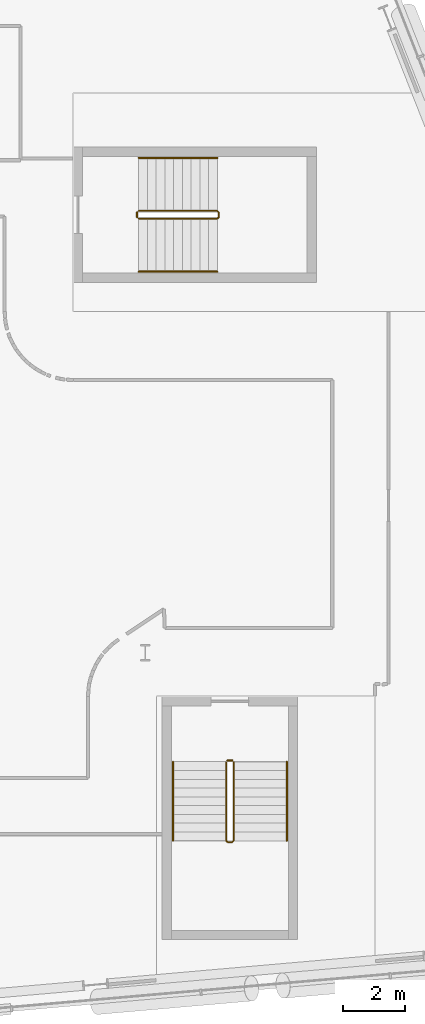
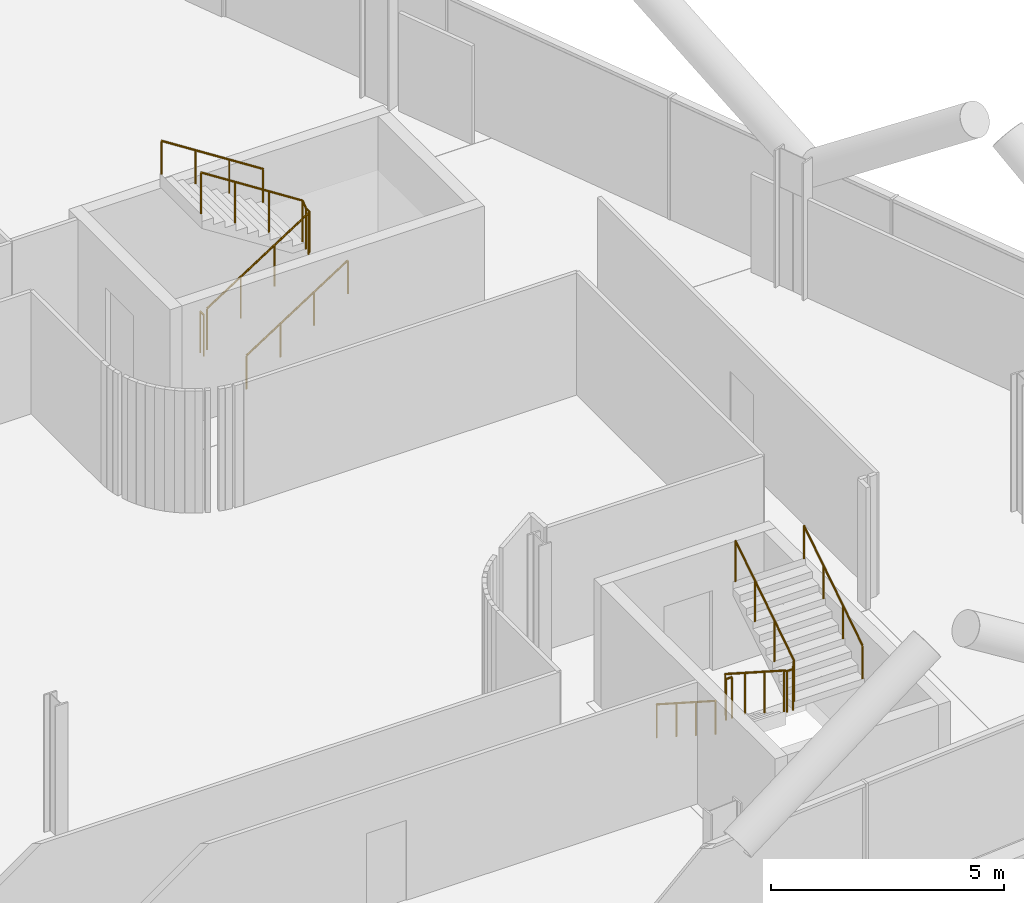
# One storey, part 30 of 30: 8 railings.
"""IFC4 building model written with IfcOpenShell, lengths in metres."""

from ifc_helpers import new_model, si_unit, direction, frame, origin, origin_2d, place, context, subcontext, project, spatial, circle, extrude, material, type_object, element, save


model = new_model("IFC4")

# Units and contexts
model_context = context("Model", 3, precision=1e-05, world=origin(), true_north=direction((0.0, 1.0)))
body_context = subcontext(model_context, "Body", "Model", "MODEL_VIEW")
ifc_project = project(units=[si_unit("LENGTHUNIT", "METRE"), si_unit("AREAUNIT", "SQUARE_METRE"), si_unit("VOLUMEUNIT", "CUBIC_METRE"), si_unit("PLANEANGLEUNIT", "RADIAN"), si_unit("MASSUNIT", "GRAM", prefix="KILO")], contexts=[model_context])

# Site, building, storey
site_placement = place(None, origin())
site = spatial("IfcSite", under=ifc_project, at=site_placement, CompositionType="ELEMENT")
building_placement = place(site_placement, origin())
building = spatial("IfcBuilding", under=site, at=building_placement, Name="Wharfspan Tower", CompositionType="ELEMENT")
storey_placement = place(building_placement, frame((0.0, 0.0, 107.5)))
storey = spatial("IfcBuildingStorey", under=building, at=storey_placement, Name="L24", CompositionType="ELEMENT", Elevation=107.5)

# Railings
ifc_material = material(Name="Steel S355J2", Category="steel")
railing_type_1 = type_object("IfcRailingType", Name="Stair guard 1100", PredefinedType="GUARDRAIL", material=ifc_material)
railing_1_placement = place(storey_placement, frame((74.591064, 7.994629, 0.179932)))
element("IfcRailing", 1, at=railing_1_placement, inside=storey, type_object=railing_type_1, Name="L24 ST5 stair guard 1", PredefinedType="GUARDRAIL", context=body_context, shape_type="SweptSolid", body=[
    extrude(circle(Radius=0.023926, at=origin_2d()), frame((0.0, 0.0, 1.076172), z_axis=(0.0, -0.841163, 0.540782), x_axis=(1.0, 0.0, 0.0)), (0.0, 0.0, 1.0), 2.99585),
    extrude(circle(Radius=0.023926, at=origin_2d()), frame((0.0, -2.52002, 2.696289), z_axis=(0.707107, -0.707107, 0.0), x_axis=(0.707107, 0.707107, 0.0)), (0.0, 0.0, 1.0), 0.070801),
    extrude(circle(Radius=0.023926, at=origin_2d()), frame((0.050049, -2.570068, 2.696289), z_axis=(1.0, 0.0, 0.0), x_axis=(0.0, 1.0, 0.0)), (0.0, 0.0, 1.0), 0.149902),
    extrude(circle(Radius=0.023926, at=origin_2d()), frame((0.199951, -2.570068, 2.696289), z_axis=(0.258848, 0.258848, 0.930589), x_axis=(-0.707107, 0.707107, 0.0)), (0.0, 0.0, 1.0), 0.193359),
    extrude(circle(Radius=0.023926, at=origin_2d()), frame((0.25, -2.52002, 2.875977), z_axis=(0.0, 0.841163, 0.540782), x_axis=(-1.0, 0.0, 0.0)), (0.0, 0.0, 1.0), 2.99585),
    extrude(circle(Radius=0.020996, at=origin_2d()), origin(), (0.0, 0.0, 1.0), 1.052002),
    extrude(circle(Radius=0.020996, at=origin_2d()), frame((0.0, -0.840088, 0.540039)), (0.0, 0.0, 1.0), 1.052002),
    extrude(circle(Radius=0.020996, at=origin_2d()), frame((0.0, -1.679932, 1.080078)), (0.0, 0.0, 1.0), 1.052002),
    extrude(circle(Radius=0.020996, at=origin_2d()), frame((0.0, -2.52002, 1.620117)), (0.0, 0.0, 1.0), 1.052002),
    extrude(circle(Radius=0.020996, at=origin_2d()), frame((0.050049, -2.570068, 1.620117)), (0.0, 0.0, 1.0), 1.052002),
    extrude(circle(Radius=0.020996, at=origin_2d()), frame((0.199951, -2.570068, 1.620117)), (0.0, 0.0, 1.0), 1.052002),
    extrude(circle(Radius=0.020996, at=origin_2d()), frame((0.25, -2.52002, 1.800049)), (0.0, 0.0, 1.0), 1.052002),
    extrude(circle(Radius=0.020996, at=origin_2d()), frame((0.25, -1.679932, 2.340088)), (0.0, 0.0, 1.0), 1.052002),
    extrude(circle(Radius=0.020996, at=origin_2d()), frame((0.25, -0.840088, 2.880127)), (0.0, 0.0, 1.0), 1.052002),
    extrude(circle(Radius=0.020996, at=origin_2d()), frame((0.25, 0.0, 3.420166)), (0.0, 0.0, 1.0), 1.052002),
])
railing_2_placement = place(storey_placement, frame((74.641113, 8.044678, 0.0)))
element("IfcRailing", 2, at=railing_2_placement, inside=storey, type_object=railing_type_1, Name="L24 ST5 stair guard 2", PredefinedType="GUARDRAIL", context=body_context, shape_type="SweptSolid", body=[
    extrude(circle(Radius=0.023926, at=origin_2d()), frame((0.0, 0.0, 1.076172), z_axis=(1.0, 0.0, 0.0), x_axis=(0.0, 1.0, 0.0)), (0.0, 0.0, 1.0), 0.149902),
    extrude(circle(Radius=0.020996, at=origin_2d()), origin(), (0.0, 0.0, 1.0), 1.052002),
    extrude(circle(Radius=0.020996, at=origin_2d()), frame((0.149902, 0.0, 0.0)), (0.0, 0.0, 1.0), 1.052002),
])
railing_3_placement = place(storey_placement, frame((71.790283, 25.425049, 0.179932)))
element("IfcRailing", 3, at=railing_3_placement, inside=storey, type_object=railing_type_1, Name="L24 ST6 stair guard 1", PredefinedType="GUARDRAIL", context=body_context, shape_type="SweptSolid", body=[
    extrude(circle(Radius=0.023926, at=origin_2d()), frame((0.0, 0.0, 1.076172), z_axis=(0.841163, 0.0, 0.540782), x_axis=(0.0, 1.0, 0.0)), (0.0, 0.0, 1.0), 2.99585),
    extrude(circle(Radius=0.023926, at=origin_2d()), frame((2.52002, 0.0, 2.696289), z_axis=(0.707107, 0.707107, 0.0), x_axis=(-0.707107, 0.707107, 0.0)), (0.0, 0.0, 1.0), 0.070801),
    extrude(circle(Radius=0.023926, at=origin_2d()), frame((2.570068, 0.050049, 2.696289), z_axis=(0.0, 1.0, 0.0), x_axis=(-1.0, 0.0, 0.0)), (0.0, 0.0, 1.0), 0.149902),
    extrude(circle(Radius=0.023926, at=origin_2d()), frame((2.570068, 0.199951, 2.696289), z_axis=(-0.258848, 0.258848, 0.930589), x_axis=(-0.707107, -0.707107, 0.0)), (0.0, 0.0, 1.0), 0.193359),
    extrude(circle(Radius=0.023926, at=origin_2d()), frame((2.52002, 0.25, 2.875977), z_axis=(-0.841163, 0.0, 0.540782), x_axis=(0.0, -1.0, 0.0)), (0.0, 0.0, 1.0), 2.99585),
    extrude(circle(Radius=0.020996, at=origin_2d()), origin(), (0.0, 0.0, 1.0), 1.052002),
    extrude(circle(Radius=0.020996, at=origin_2d()), frame((0.840088, 0.0, 0.540039)), (0.0, 0.0, 1.0), 1.052002),
    extrude(circle(Radius=0.020996, at=origin_2d()), frame((1.679932, 0.0, 1.080078)), (0.0, 0.0, 1.0), 1.052002),
    extrude(circle(Radius=0.020996, at=origin_2d()), frame((2.52002, 0.0, 1.620117)), (0.0, 0.0, 1.0), 1.052002),
    extrude(circle(Radius=0.020996, at=origin_2d()), frame((2.570068, 0.050049, 1.620117)), (0.0, 0.0, 1.0), 1.052002),
    extrude(circle(Radius=0.020996, at=origin_2d()), frame((2.570068, 0.199951, 1.620117)), (0.0, 0.0, 1.0), 1.052002),
    extrude(circle(Radius=0.020996, at=origin_2d()), frame((2.52002, 0.25, 1.800049)), (0.0, 0.0, 1.0), 1.052002),
    extrude(circle(Radius=0.020996, at=origin_2d()), frame((1.679932, 0.25, 2.340088)), (0.0, 0.0, 1.0), 1.052002),
    extrude(circle(Radius=0.020996, at=origin_2d()), frame((0.840088, 0.25, 2.880127)), (0.0, 0.0, 1.0), 1.052002),
    extrude(circle(Radius=0.020996, at=origin_2d()), frame((0.0, 0.25, 3.420166)), (0.0, 0.0, 1.0), 1.052002),
])
railing_4_placement = place(storey_placement, frame((71.740479, 25.475098, 0.0)))
element("IfcRailing", 4, at=railing_4_placement, inside=storey, type_object=railing_type_1, Name="L24 ST6 stair guard 2", PredefinedType="GUARDRAIL", context=body_context, shape_type="SweptSolid", body=[
    extrude(circle(Radius=0.023926, at=origin_2d()), frame((0.0, 0.0, 1.076172), z_axis=(0.0, 1.0, 0.0), x_axis=(-1.0, 0.0, 0.0)), (0.0, 0.0, 1.0), 0.149902),
    extrude(circle(Radius=0.020996, at=origin_2d()), origin(), (0.0, 0.0, 1.0), 1.052002),
    extrude(circle(Radius=0.020996, at=origin_2d()), frame((0.0, 0.149902, 0.0)), (0.0, 0.0, 1.0), 1.052002),
])
railing_type_2 = type_object("IfcRailingType", Name="Stair handrail 900", PredefinedType="HANDRAIL", material=ifc_material)
railing_5_placement = place(storey_placement, frame((72.891113, 7.994629, 0.179932)))
element("IfcRailing", 5, at=railing_5_placement, inside=storey, type_object=railing_type_2, Name="L24 ST5 stair handrail 1", PredefinedType="HANDRAIL", context=body_context, shape_type="SweptSolid", body=[
    extrude(circle(Radius=0.023926, at=origin_2d()), frame((0.0, 0.0, 0.875977), z_axis=(0.0, -0.841163, 0.540782), x_axis=(1.0, 0.0, 0.0)), (0.0, 0.0, 1.0), 2.99585),
    extrude(circle(Radius=0.020996, at=origin_2d()), origin(), (0.0, 0.0, 1.0), 0.851807),
    extrude(circle(Radius=0.020996, at=origin_2d()), frame((0.0, -0.840088, 0.540039)), (0.0, 0.0, 1.0), 0.851807),
    extrude(circle(Radius=0.020996, at=origin_2d()), frame((0.0, -1.679932, 1.080078)), (0.0, 0.0, 1.0), 0.851807),
    extrude(circle(Radius=0.020996, at=origin_2d()), frame((0.0, -2.52002, 1.620117)), (0.0, 0.0, 1.0), 0.851807),
])
railing_6_placement = place(storey_placement, frame((76.541016, 5.474609, 1.97998)))
element("IfcRailing", 6, at=railing_6_placement, inside=storey, type_object=railing_type_2, Name="L24 ST5 stair handrail 2", PredefinedType="HANDRAIL", context=body_context, shape_type="SweptSolid", body=[
    extrude(circle(Radius=0.023926, at=origin_2d()), frame((0.0, 0.0, 0.875977), z_axis=(0.0, 0.841163, 0.540782), x_axis=(-1.0, 0.0, 0.0)), (0.0, 0.0, 1.0), 2.99585),
    extrude(circle(Radius=0.020996, at=origin_2d()), origin(), (0.0, 0.0, 1.0), 0.851807),
    extrude(circle(Radius=0.020996, at=origin_2d()), frame((0.0, 0.840088, 0.540039)), (0.0, 0.0, 1.0), 0.851807),
    extrude(circle(Radius=0.020996, at=origin_2d()), frame((0.0, 1.679932, 1.080078)), (0.0, 0.0, 1.0), 0.851807),
    extrude(circle(Radius=0.020996, at=origin_2d()), frame((0.0, 2.52002, 1.620117)), (0.0, 0.0, 1.0), 0.851807),
])
railing_7_placement = place(storey_placement, frame((71.790283, 23.725098, 0.179932)))
element("IfcRailing", 7, at=railing_7_placement, inside=storey, type_object=railing_type_2, Name="L24 ST6 stair handrail 1", PredefinedType="HANDRAIL", context=body_context, shape_type="SweptSolid", body=[
    extrude(circle(Radius=0.023926, at=origin_2d()), frame((0.0, 0.0, 0.875977), z_axis=(0.841163, 0.0, 0.540782), x_axis=(0.0, 1.0, 0.0)), (0.0, 0.0, 1.0), 2.99585),
    extrude(circle(Radius=0.020996, at=origin_2d()), origin(), (0.0, 0.0, 1.0), 0.851807),
    extrude(circle(Radius=0.020996, at=origin_2d()), frame((0.840088, 0.0, 0.540039)), (0.0, 0.0, 1.0), 0.851807),
    extrude(circle(Radius=0.020996, at=origin_2d()), frame((1.679932, 0.0, 1.080078)), (0.0, 0.0, 1.0), 0.851807),
    extrude(circle(Radius=0.020996, at=origin_2d()), frame((2.52002, 0.0, 1.620117)), (0.0, 0.0, 1.0), 0.851807),
])
railing_8_placement = place(storey_placement, frame((74.310303, 27.375, 1.97998)))
element("IfcRailing", 8, at=railing_8_placement, inside=storey, type_object=railing_type_2, Name="L24 ST6 stair handrail 2", PredefinedType="HANDRAIL", context=body_context, shape_type="SweptSolid", body=[
    extrude(circle(Radius=0.023926, at=origin_2d()), frame((0.0, 0.0, 0.875977), z_axis=(-0.841163, 0.0, 0.540782), x_axis=(0.0, -1.0, 0.0)), (0.0, 0.0, 1.0), 2.99585),
    extrude(circle(Radius=0.020996, at=origin_2d()), origin(), (0.0, 0.0, 1.0), 0.851807),
    extrude(circle(Radius=0.020996, at=origin_2d()), frame((-0.840088, 0.0, 0.540039)), (0.0, 0.0, 1.0), 0.851807),
    extrude(circle(Radius=0.020996, at=origin_2d()), frame((-1.679932, 0.0, 1.080078)), (0.0, 0.0, 1.0), 0.851807),
    extrude(circle(Radius=0.020996, at=origin_2d()), frame((-2.52002, 0.0, 1.620117)), (0.0, 0.0, 1.0), 0.851807),
])

save(model, "model.ifc")
